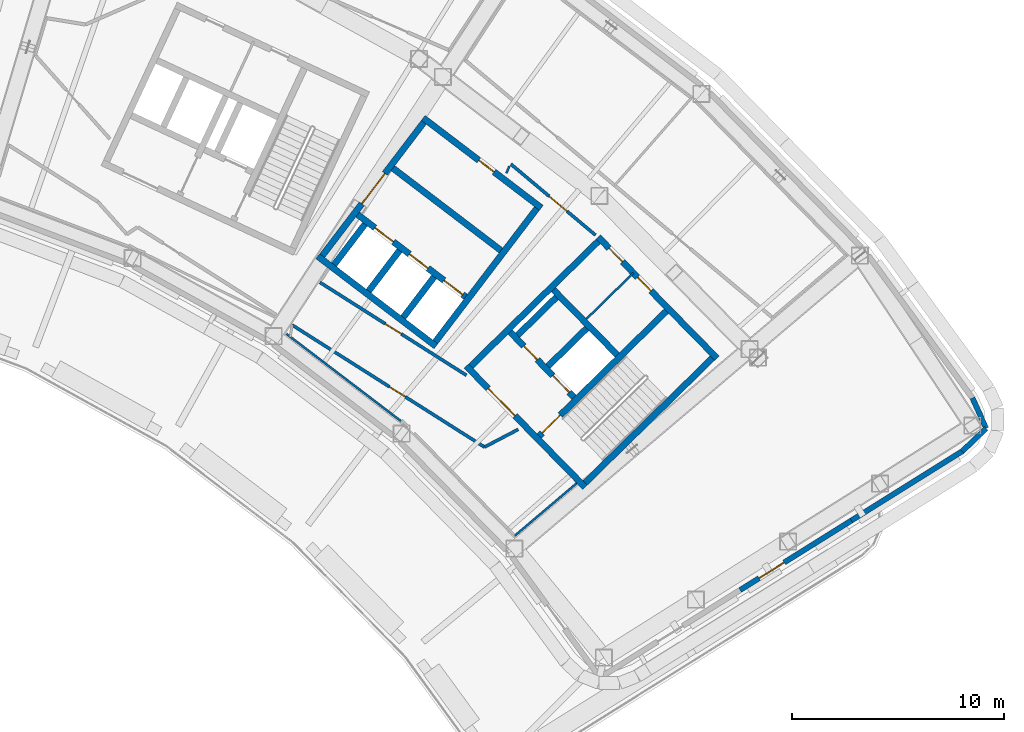
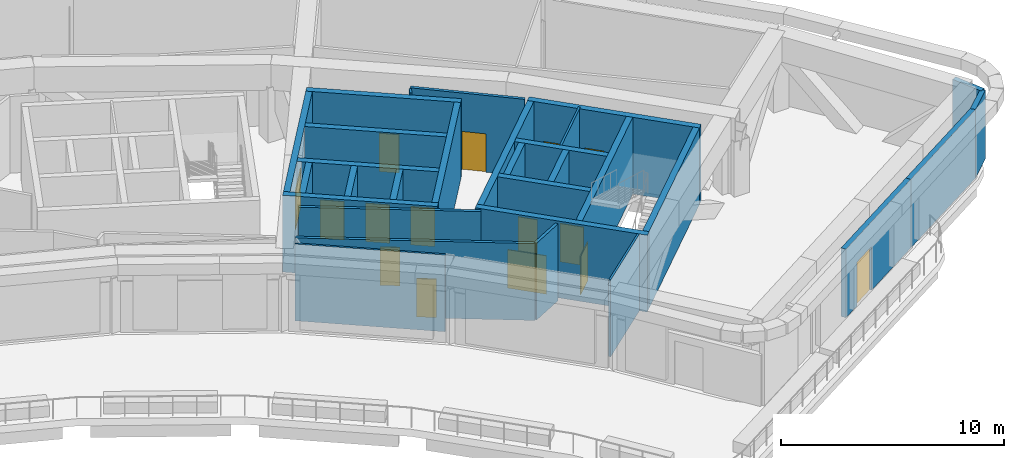
# One storey, part 10 of 25: 30 walls, 15 doors, 15 openings.
"""IFC4 building model written with IfcOpenShell, lengths in metres."""

from ifc_helpers import new_model, si_unit, direction, frame, frame_2d, origin, place, context, subcontext, project, spatial, rectangle, extrude, material, layer, layer_set, type_object, element, fill, save


model = new_model("IFC4")

# Units and contexts
model_context = context("Model", 3, precision=1e-05, world=origin(), true_north=direction((0.0, 1.0)))
body_context = subcontext(model_context, "Body", "Model", "MODEL_VIEW")
ifc_project = project(units=[si_unit("LENGTHUNIT", "METRE"), si_unit("AREAUNIT", "SQUARE_METRE"), si_unit("VOLUMEUNIT", "CUBIC_METRE"), si_unit("PLANEANGLEUNIT", "RADIAN"), si_unit("MASSUNIT", "GRAM", prefix="KILO")], contexts=[model_context])

# Site, building, storey
site_placement = place(None, origin())
site = spatial("IfcSite", under=ifc_project, at=site_placement, CompositionType="ELEMENT")
building_placement = place(site_placement, origin())
building = spatial("IfcBuilding", under=site, at=building_placement, Name="Tuul Gate Civic Tower", CompositionType="ELEMENT")
storey_placement = place(building_placement, frame((0.0, 0.0, 60.89990234375)))
storey = spatial("IfcBuildingStorey", under=building, at=storey_placement, Name="Plant and refuge floor 2", CompositionType="ELEMENT", Elevation=60.89990234375)

# Wall, opening, door
ifc_material_1 = material(Name="Concrete C50/60", Category="concrete")
ifc_layer_1 = layer(ifc_material_1, 0.300048828125)
ifc_layer_set_1 = layer_set([ifc_layer_1], Name="Concrete C50/60")
wall_type_1 = type_object("IfcWallType", Name="Core wall C50/60", PredefinedType="SHEAR", material=ifc_layer_set_1)
wall_1_placement = place(storey_placement, frame((48.22509765625, -18.327880859375, 0.0), z_axis=(0.0, 0.0, 1.0), x_axis=(-0.700021979774, 0.714121297703, 0.0)))
wall_1 = element("IfcWall", 1, at=wall_1_placement, inside=storey, type_object=wall_type_1, Name="Core wall", PredefinedType="SHEAR", context=body_context, shape_type="SweptSolid", body=[
    extrude(rectangle(XDim=8.0, YDim=0.300048828125, at=frame_2d((4.0, 0.0))), origin(), (0.0, 0.0, 1.0), 4.2001953125),
])
opening_1_placement = place(wall_1_placement, frame((4.72509765625, 0.0, 0.0)))
opening_1 = element("IfcOpeningElement", 2, at=opening_1_placement, cuts=wall_1, Name="Opening LB-E1-LOBBY-1", PredefinedType="OPENING", context=body_context, shape_type="SweptSolid", body=[
    extrude(rectangle(XDim=1.800048828125, YDim=2.10009765625, at=frame_2d((0.89990234375, 1.050048828125))), frame((0.0, 0.16015625, 0.0), z_axis=(0.0, -1.0, 0.0), x_axis=(1.0, 0.0, 0.0)), (0.0, 0.0, 1.0), 0.320068359375),
])
ifc_material_2 = material(Name="Steel", Category="steel")
door_type_1 = type_object("IfcDoorType", Name="Lobby door", OperationType="DOUBLE_DOOR_SINGLE_SWING", PredefinedType="DOOR", material=ifc_material_2)
door_1_placement = place(opening_1_placement, frame((1.800048828125, 0.0, 0.0), z_axis=(0.0, 0.0, 1.0), x_axis=(-1.0, 0.0, 0.0)))
door_1 = element("IfcDoor", 3, at=door_1_placement, inside=storey, type_object=door_type_1, Name="Lobby door E1-LOBBY", OperationType="DOUBLE_DOOR_SINGLE_SWING", OverallHeight=2.10009765625, OverallWidth=1.800048828125, PredefinedType="DOOR", context=body_context, shape_type="SweptSolid", body=[
    extrude(rectangle(XDim=1.800048828125, YDim=2.10009765625, at=frame_2d((0.900146484375, 1.050048828125))), frame((0.0, 0.02490234375, 0.0), z_axis=(0.0, -1.0, 0.0), x_axis=(1.0, 0.0, 0.0)), (0.0, 0.0, 1.0), 0.050048828125),
])
fill(opening_1, door_1)

# Wall, openings, doors
wall_2_placement = place(storey_placement, frame((47.701904296875, -14.079833984375, 0.0), z_axis=(0.0, 0.0, 1.0), x_axis=(-0.700002721075, 0.714140175657, 0.0)))
wall_2 = element("IfcWall", 4, at=wall_2_placement, inside=storey, type_object=wall_type_1, Name="Core wall", PredefinedType="SHEAR", context=body_context, shape_type="SweptSolid", body=[
    extrude(rectangle(XDim=4.300048828125, YDim=0.300048828125, at=frame_2d((2.14990234375, 0.0))), origin(), (0.0, 0.0, 1.0), 4.2001953125),
])
opening_2_placement = place(wall_2_placement, frame((0.324951171875, 0.0, 0.0)))
opening_2 = element("IfcOpeningElement", 5, at=opening_2_placement, cuts=wall_2, Name="Opening LD-L4", PredefinedType="OPENING", context=body_context, shape_type="SweptSolid", body=[
    extrude(rectangle(XDim=1.10009765625, YDim=2.10009765625, at=frame_2d((0.550048828125, 1.050048828125))), frame((0.0, 0.16015625, 0.0), z_axis=(0.0, -1.0, 0.0), x_axis=(1.0, 0.0, 0.0)), (0.0, 0.0, 1.0), 0.320068359375),
])
opening_3_placement = place(wall_2_placement, frame((2.47509765625, 0.0, 0.0)))
opening_3 = element("IfcOpeningElement", 6, at=opening_3_placement, cuts=wall_2, Name="Opening FB-E1A2", PredefinedType="OPENING", context=body_context, shape_type="SweptSolid", body=[
    extrude(rectangle(XDim=0.89990234375, YDim=2.10009765625, at=frame_2d((0.449951171875, 1.050048828125))), frame((0.0, 0.16015625, 0.0), z_axis=(0.0, -1.0, 0.0), x_axis=(1.0, 0.0, 0.0)), (0.0, 0.0, 1.0), 0.320068359375),
])
ifc_material_3 = material(Name="Stainless steel", Category="steel")
door_type_2 = type_object("IfcDoorType", Name="Landing door", OperationType="DOUBLE_DOOR_SLIDING", PredefinedType="DOOR", material=ifc_material_3)
door_2_placement = place(opening_2_placement, origin())
door_2 = element("IfcDoor", 7, at=door_2_placement, inside=storey, type_object=door_type_2, Name="Low-rise lift L4 landing door", OperationType="DOUBLE_DOOR_SLIDING", OverallHeight=2.10009765625, OverallWidth=1.10009765625, PredefinedType="DOOR", context=body_context, shape_type="SweptSolid", body=[
    extrude(rectangle(XDim=1.10009765625, YDim=2.10009765625, at=frame_2d((0.550048828125, 1.050048828125))), frame((0.0, 0.02490234375, 0.0), z_axis=(0.0, -1.0, 0.0), x_axis=(1.0, 0.0, 0.0)), (0.0, 0.0, 1.0), 0.050048828125),
])
fill(opening_2, door_2)
ifc_material_4 = material(Name="Steel", Category="steel")
door_type_3 = type_object("IfcDoorType", Name="Store door", OperationType="NOTDEFINED", PredefinedType="DOOR", material=ifc_material_4)
door_3_placement = place(opening_3_placement, frame((0.89990234375, 0.0, 0.0), z_axis=(0.0, 0.0, 1.0), x_axis=(-1.0, 0.0, 0.0)))
door_3 = element("IfcDoor", 8, at=door_3_placement, inside=storey, type_object=door_type_3, Name="Store door E1A2", OperationType="SINGLE_SWING_LEFT", OverallHeight=2.10009765625, OverallWidth=0.89990234375, PredefinedType="DOOR", context=body_context, shape_type="SweptSolid", body=[
    extrude(rectangle(XDim=0.89990234375, YDim=2.10009765625, at=frame_2d((0.449951171875, 1.050048828125))), frame((0.0, 0.02490234375, 0.0), z_axis=(0.0, -1.0, 0.0), x_axis=(1.0, 0.0, 0.0)), (0.0, 0.0, 1.0), 0.050048828125),
])
fill(opening_3, door_3)

# Wall
wall_3_placement = place(storey_placement, frame((49.737060546875, -12.0849609375, 0.0), z_axis=(0.0, 0.0, 1.0), x_axis=(-0.700002721075, 0.714140175657, 0.0)))
element("IfcWall", 9, at=wall_3_placement, inside=storey, type_object=wall_type_1, Name="Core wall", PredefinedType="SHEAR", context=body_context, shape_type="SweptSolid", body=[
    extrude(rectangle(XDim=4.300048828125, YDim=0.300048828125, at=frame_2d((2.14990234375, 0.0))), origin(), (0.0, 0.0, 1.0), 4.2001953125),
])

# Wall, openings, doors
wall_4_placement = place(storey_placement, frame((54.43798828125, -12.23779296875, 0.0), z_axis=(0.0, 0.0, 1.0), x_axis=(-0.700021979774, 0.714121297703, 0.0)))
wall_4 = element("IfcWall", 10, at=wall_4_placement, inside=storey, type_object=wall_type_1, Name="Core wall", PredefinedType="SHEAR", context=body_context, shape_type="SweptSolid", body=[
    extrude(rectangle(XDim=8.0, YDim=0.300048828125, at=frame_2d((4.0, 0.0))), origin(), (0.0, 0.0, 1.0), 4.2001953125),
])
opening_4_placement = place(wall_4_placement, frame((4.43798828125, 0.0, 0.0)))
opening_4 = element("IfcOpeningElement", 11, at=opening_4_placement, cuts=wall_4, Name="Opening PA-D25", PredefinedType="OPENING", context=body_context, shape_type="SweptSolid", body=[
    extrude(rectangle(XDim=0.89990234375, YDim=2.10009765625, at=frame_2d((0.449951171875, 1.050048828125))), frame((0.0, 0.16015625, 0.0), z_axis=(0.0, -1.0, 0.0), x_axis=(1.0, 0.0, 0.0)), (0.0, 0.0, 1.0), 0.320068359375),
])
opening_5_placement = place(wall_4_placement, frame((6.362548828125, 0.0, 0.0)))
opening_5 = element("IfcOpeningElement", 12, at=opening_5_placement, cuts=wall_4, Name="Opening PA-D26", PredefinedType="OPENING", context=body_context, shape_type="SweptSolid", body=[
    extrude(rectangle(XDim=0.89990234375, YDim=2.10009765625, at=frame_2d((0.449951171875, 1.050048828125))), frame((0.0, 0.16015625, 0.0), z_axis=(0.0, -1.0, 0.0), x_axis=(1.0, 0.0, 0.0)), (0.0, 0.0, 1.0), 0.320068359375),
])
ifc_material_5 = material(Name="Timber door leaf", Category="wood")
door_type_4 = type_object("IfcDoorType", Name="Door D09", OperationType="NOTDEFINED", PredefinedType="DOOR", material=ifc_material_5)
door_4_placement = place(opening_4_placement, origin())
door_4 = element("IfcDoor", 13, at=door_4_placement, inside=storey, type_object=door_type_4, Name="Door PA-D25", OperationType="SINGLE_SWING_RIGHT", OverallHeight=2.10009765625, OverallWidth=0.89990234375, PredefinedType="DOOR", context=body_context, shape_type="SweptSolid", body=[
    extrude(rectangle(XDim=0.89990234375, YDim=2.10009765625, at=frame_2d((0.449951171875, 1.050048828125))), frame((0.0, 0.02490234375, 0.0), z_axis=(0.0, -1.0, 0.0), x_axis=(1.0, 0.0, 0.0)), (0.0, 0.0, 1.0), 0.050048828125),
])
fill(opening_4, door_4)
door_5_placement = place(opening_5_placement, origin())
door_5 = element("IfcDoor", 14, at=door_5_placement, inside=storey, type_object=door_type_4, Name="Door PA-D26", OperationType="SINGLE_SWING_LEFT", OverallHeight=2.10009765625, OverallWidth=0.89990234375, PredefinedType="DOOR", context=body_context, shape_type="SweptSolid", body=[
    extrude(rectangle(XDim=0.89990234375, YDim=2.10009765625, at=frame_2d((0.449951171875, 1.050048828125))), frame((0.0, 0.02490234375, 0.0), z_axis=(0.0, -1.0, 0.0), x_axis=(1.0, 0.0, 0.0)), (0.0, 0.0, 1.0), 0.050048828125),
])
fill(opening_5, door_5)

# Wall
wall_5_placement = place(storey_placement, frame((48.227294921875, -18.115966796875, 0.0), z_axis=(0.0, 0.0, 1.0), x_axis=(0.714105315431, 0.700038283577, 0.0)))
element("IfcWall", 15, at=wall_5_placement, inside=storey, type_object=wall_type_1, Name="Core wall", PredefinedType="SHEAR", context=body_context, shape_type="SweptSolid", body=[
    extrude(rectangle(XDim=8.400146484375, YDim=0.300048828125, at=frame_2d((4.2001953125, 0.0))), origin(), (0.0, 0.0, 1.0), 4.2001953125),
])

# Wall, opening, door
wall_6_placement = place(storey_placement, frame((46.05712890625, -15.902099609375, 0.0), z_axis=(0.0, 0.0, 1.0), x_axis=(0.714134086973, 0.700008932674, 0.0)))
wall_6 = element("IfcWall", 16, at=wall_6_placement, inside=storey, type_object=wall_type_1, Name="Core wall", PredefinedType="SHEAR", context=body_context, shape_type="SweptSolid", body=[
    extrude(rectangle(XDim=8.400146484375, YDim=0.300048828125, at=frame_2d((4.2001953125, 0.0))), origin(), (0.0, 0.0, 1.0), 4.2001953125),
])
opening_6_placement = place(wall_6_placement, frame((0.199951171875, 0.0, 0.0)))
opening_6 = element("IfcOpeningElement", 17, at=opening_6_placement, cuts=wall_6, Name="Opening SD-ST-3", PredefinedType="OPENING", context=body_context, shape_type="SweptSolid", body=[
    extrude(rectangle(XDim=1.199951171875, YDim=2.10009765625, at=frame_2d((0.60009765625, 1.050048828125))), frame((0.0, 0.16015625, 0.0), z_axis=(0.0, -1.0, 0.0), x_axis=(1.0, 0.0, 0.0)), (0.0, 0.0, 1.0), 0.320068359375),
])
ifc_material_6 = material(Name="Steel", Category="steel")
door_type_5 = type_object("IfcDoorType", Name="Stair door", OperationType="NOTDEFINED", PredefinedType="DOOR", material=ifc_material_6)
door_6_placement = place(opening_6_placement, origin())
door_6 = element("IfcDoor", 18, at=door_6_placement, inside=storey, type_object=door_type_5, Name="Stair door ST-3", OperationType="SINGLE_SWING_LEFT", OverallHeight=2.10009765625, OverallWidth=1.199951171875, PredefinedType="DOOR", context=body_context, shape_type="SweptSolid", body=[
    extrude(rectangle(XDim=1.199951171875, YDim=2.10009765625, at=frame_2d((0.60009765625, 1.050048828125))), frame((0.0, 0.02490234375, 0.0), z_axis=(0.0, -1.0, 0.0), x_axis=(1.0, 0.0, 0.0)), (0.0, 0.0, 1.0), 0.050048828125),
])
fill(opening_6, door_6)

# Walls
wall_7_placement = place(storey_placement, frame((46.47900390625, -12.617919921875, 0.0), z_axis=(0.0, 0.0, 1.0), x_axis=(0.71410944159, 0.700034074479, 0.0)))
element("IfcWall", 19, at=wall_7_placement, inside=storey, type_object=wall_type_1, Name="Core wall", PredefinedType="SHEAR", context=body_context, shape_type="SweptSolid", body=[
    extrude(rectangle(XDim=2.5498046875, YDim=0.300048828125, at=frame_2d((1.27490234375, 0.0))), origin(), (0.0, 0.0, 1.0), 4.2001953125),
])
wall_8_placement = place(storey_placement, frame((45.0439453125, -11.154052734375, 0.0), z_axis=(0.0, 0.0, 1.0), x_axis=(0.714108498262, 0.700035036773, 0.0)))
element("IfcWall", 20, at=wall_8_placement, inside=storey, type_object=wall_type_1, Name="Core wall", PredefinedType="SHEAR", context=body_context, shape_type="SweptSolid", body=[
    extrude(rectangle(XDim=2.550048828125, YDim=0.300048828125, at=frame_2d((1.27490234375, 0.0))), origin(), (0.0, 0.0, 1.0), 4.2001953125),
])
wall_9_placement = place(storey_placement, frame((42.837158203125, -12.616943359375, 0.0), z_axis=(0.0, 0.0, 1.0), x_axis=(0.714119844755, 0.700023461983, 0.0)))
element("IfcWall", 21, at=wall_9_placement, inside=storey, type_object=wall_type_1, Name="Core wall", PredefinedType="SHEAR", context=body_context, shape_type="SweptSolid", body=[
    extrude(rectangle(XDim=8.39990234375, YDim=0.300048828125, at=frame_2d((4.199951171875, 0.0))), origin(), (0.0, 0.0, 1.0), 4.2001953125),
])

# Wall, opening, door
ifc_material_7 = material(Name="Gypsum board partition")
ifc_layer_2 = layer(ifc_material_7, 0.14990234375)
ifc_layer_set_2 = layer_set([ifc_layer_2], Name="Gypsum board partition")
wall_type_2 = type_object("IfcWallType", Name="Corridor wall P150", PredefinedType="PARTITIONING", material=ifc_layer_set_2)
wall_10_placement = place(storey_placement, frame((34.412109375, -10.6767578125, 0.0), z_axis=(0.0, 0.0, 1.0), x_axis=(0.844378662205, -0.535746838359, 0.0)))
wall_10 = element("IfcWall", 22, at=wall_10_placement, inside=storey, type_object=wall_type_2, Name="p006", PredefinedType="PARTITIONING", context=body_context, shape_type="SweptSolid", body=[
    extrude(rectangle(XDim=10.739990234375, YDim=0.14990234375, at=frame_2d((5.3701171875, 0.0))), origin(), (0.0, 0.0, 1.0), 4.2001953125),
])
opening_7_placement = place(wall_10_placement, frame((5.419921875, 0.0, 0.0)))
opening_7 = element("IfcOpeningElement", 23, at=opening_7_placement, cuts=wall_10, Name="Opening PA-D041", PredefinedType="OPENING", context=body_context, shape_type="SweptSolid", body=[
    extrude(rectangle(XDim=0.89990234375, YDim=2.10009765625, at=frame_2d((0.449951171875, 1.050048828125))), frame((0.0, 0.0849609375, 0.0), z_axis=(0.0, -1.0, 0.0), x_axis=(1.0, 0.0, 0.0)), (0.0, 0.0, 1.0), 0.169921875),
])
door_7_placement = place(opening_7_placement, frame((0.89990234375, 0.0, 0.0), z_axis=(0.0, 0.0, 1.0), x_axis=(-1.0, 0.0, 0.0)))
door_7 = element("IfcDoor", 24, at=door_7_placement, inside=storey, type_object=door_type_4, Name="Door PA-D04", OperationType="SINGLE_SWING_LEFT", OverallHeight=2.10009765625, OverallWidth=0.89990234375, PredefinedType="DOOR", context=body_context, shape_type="SweptSolid", body=[
    extrude(rectangle(XDim=0.89990234375, YDim=2.10009765625, at=frame_2d((0.449951171875, 1.050048828125))), frame((0.0, 0.02490234375, 0.0), z_axis=(0.0, -1.0, 0.0), x_axis=(1.0, 0.0, 0.0)), (0.0, 0.0, 1.0), 0.050048828125),
])
fill(opening_7, door_7)

# Wall
wall_11_placement = place(storey_placement, frame((43.4814453125, -16.430908203125, 0.0), z_axis=(0.0, 0.0, 1.0), x_axis=(0.885514163463, 0.46461238286, 0.0)))
element("IfcWall", 25, at=wall_11_placement, inside=storey, type_object=wall_type_2, Name="p009", PredefinedType="PARTITIONING", context=body_context, shape_type="SweptSolid", body=[
    extrude(rectangle(XDim=1.79296875, YDim=0.14990234375, at=frame_2d((0.896484375, 0.0))), origin(), (0.0, 0.0, 1.0), 4.2001953125),
])

# Wall, opening, door
wall_12_placement = place(storey_placement, frame((35.724609375, -8.6669921875, 0.0), z_axis=(0.0, 0.0, 1.0), x_axis=(0.844362663781, -0.535772052287, 0.0)))
wall_12 = element("IfcWall", 26, at=wall_12_placement, inside=storey, type_object=wall_type_2, Name="p011", PredefinedType="PARTITIONING", context=body_context, shape_type="SweptSolid", body=[
    extrude(rectangle(XDim=8.177978515625, YDim=0.14990234375, at=frame_2d((4.0888671875, 0.0))), origin(), (0.0, 0.0, 1.0), 4.2001953125),
])
opening_8_placement = place(wall_12_placement, frame((3.63916015625, 0.0, 0.0)))
opening_8 = element("IfcOpeningElement", 27, at=opening_8_placement, cuts=wall_12, Name="Opening PA-D05", PredefinedType="OPENING", context=body_context, shape_type="SweptSolid", body=[
    extrude(rectangle(XDim=0.89990234375, YDim=2.10009765625, at=frame_2d((0.449951171875, 1.050048828125))), frame((0.0, 0.0849609375, 0.0), z_axis=(0.0, -1.0, 0.0), x_axis=(1.0, 0.0, 0.0)), (0.0, 0.0, 1.0), 0.169921875),
])
door_8_placement = place(opening_8_placement, frame((0.89990234375, 0.0, 0.0), z_axis=(0.0, 0.0, 1.0), x_axis=(-1.0, 0.0, 0.0)))
door_8 = element("IfcDoor", 28, at=door_8_placement, inside=storey, type_object=door_type_4, Name="Door PA-D05", OperationType="SINGLE_SWING_LEFT", OverallHeight=2.10009765625, OverallWidth=0.89990234375, PredefinedType="DOOR", context=body_context, shape_type="SweptSolid", body=[
    extrude(rectangle(XDim=0.89990234375, YDim=2.10009765625, at=frame_2d((0.449951171875, 1.050048828125))), frame((0.0, 0.02490234375, 0.0), z_axis=(0.0, -1.0, 0.0), x_axis=(1.0, 0.0, 0.0)), (0.0, 0.0, 1.0), 0.050048828125),
])
fill(opening_8, door_8)

wall_13_placement = place(storey_placement, frame((44.7255859375, -3.091064453125, 0.0), z_axis=(0.0, 0.0, 1.0), x_axis=(0.765921044758, -0.642934641466, 0.0)))
wall_13 = element("IfcWall", 29, at=wall_13_placement, inside=storey, type_object=wall_type_2, Name="p012", PredefinedType="PARTITIONING", context=body_context, shape_type="SweptSolid", body=[
    extrude(rectangle(XDim=5.204833984375, YDim=0.14990234375, at=frame_2d((2.6025390625, 0.0))), origin(), (0.0, 0.0, 1.0), 4.2001953125),
])
opening_9_placement = place(wall_13_placement, frame((2.35302734375, 0.0, 0.0)))
opening_9 = element("IfcOpeningElement", 30, at=opening_9_placement, cuts=wall_13, Name="Opening PA-D211", PredefinedType="OPENING", context=body_context, shape_type="SweptSolid", body=[
    extrude(rectangle(XDim=1.10009765625, YDim=2.10009765625, at=frame_2d((0.550048828125, 1.050048828125))), frame((0.0, 0.0849609375, 0.0), z_axis=(0.0, -1.0, 0.0), x_axis=(1.0, 0.0, 0.0)), (0.0, 0.0, 1.0), 0.169921875),
])
ifc_material_8 = material(Name="Timber door leaf", Category="wood")
door_type_6 = type_object("IfcDoorType", Name="Door D11", OperationType="NOTDEFINED", PredefinedType="DOOR", material=ifc_material_8)
door_9_placement = place(opening_9_placement, frame((1.10009765625, 0.0, 0.0), z_axis=(0.0, 0.0, 1.0), x_axis=(-1.0, 0.0, 0.0)))
door_9 = element("IfcDoor", 31, at=door_9_placement, inside=storey, type_object=door_type_6, Name="Door PA-D21", OperationType="SINGLE_SWING_LEFT", OverallHeight=2.10009765625, OverallWidth=1.10009765625, PredefinedType="DOOR", context=body_context, shape_type="SweptSolid", body=[
    extrude(rectangle(XDim=1.10009765625, YDim=2.10009765625, at=frame_2d((0.550048828125, 1.050048828125))), frame((0.0, 0.02490234375, 0.0), z_axis=(0.0, -1.0, 0.0), x_axis=(1.0, 0.0, 0.0)), (0.0, 0.0, 1.0), 0.050048828125),
])
fill(opening_9, door_9)

# Walls
ifc_material_9 = material(Name="Precast concrete C40/50", Category="concrete")
ifc_layer_3 = layer(ifc_material_9, 0.25)
ifc_layer_set_3 = layer_set([ifc_layer_3], Name="Precast concrete C40/50")
wall_type_3 = type_object("IfcWallType", Name="External wall", PredefinedType="STANDARD", material=ifc_layer_set_3)
wall_14_placement = place(storey_placement, frame((65.99853515625, -16.634765625, 0.0), z_axis=(0.0, 0.0, 1.0), x_axis=(0.722172557321, 0.691712944402, 0.0)))
element("IfcWall", 32, at=wall_14_placement, inside=storey, type_object=wall_type_3, Name="External wall", PredefinedType="STANDARD", context=body_context, shape_type="SweptSolid", body=[
    extrude(rectangle(XDim=1.571044921875, YDim=0.25, at=frame_2d((0.78564453125, 0.0))), origin(), (0.0, 0.0, 1.0), 3.75),
])
wall_15_placement = place(storey_placement, frame((67.133056640625, -15.548095703125, 0.0), z_axis=(0.0, 0.0, 1.0), x_axis=(-0.412327537863, 0.911035675218, 0.0)))
element("IfcWall", 33, at=wall_15_placement, inside=storey, type_object=wall_type_3, Name="External wall", PredefinedType="STANDARD", context=body_context, shape_type="SweptSolid", body=[
    extrude(rectangle(XDim=1.571533203125, YDim=0.25, at=frame_2d((0.78564453125, 0.0))), origin(), (0.0, 0.0, 1.0), 3.75),
])

# Wall, opening, door
wall_16_placement = place(storey_placement, frame((55.531982421875, -23.171630859375, 0.0), z_axis=(0.0, 0.0, 1.0), x_axis=(0.848053758074, 0.529910203164, 0.0)))
wall_16 = element("IfcWall", 34, at=wall_16_placement, inside=storey, type_object=wall_type_3, Name="External wall", PredefinedType="STANDARD", context=body_context, shape_type="SweptSolid", body=[
    extrude(rectangle(XDim=6.182861328125, YDim=0.25, at=frame_2d((3.09130859375, 0.0))), origin(), (0.0, 0.0, 1.0), 3.75),
])
opening_10_placement = place(wall_16_placement, frame((1.050048828125, 0.0, 0.0)))
opening_10 = element("IfcOpeningElement", 35, at=opening_10_placement, cuts=wall_16, Name="Opening TD", PredefinedType="OPENING", context=body_context, shape_type="SweptSolid", body=[
    extrude(rectangle(XDim=1.39990234375, YDim=2.39990234375, at=frame_2d((0.699951171875, 1.199951171875))), frame((0.0, 0.135009765625, 0.0), z_axis=(0.0, -1.0, 0.0), x_axis=(1.0, 0.0, 0.0)), (0.0, 0.0, 1.0), 0.27001953125),
])
ifc_material_10 = material(Name="Glazed aluminium", Category="aluminium")
door_type_7 = type_object("IfcDoorType", Name="Terrace door", OperationType="DOUBLE_DOOR_SINGLE_SWING", PredefinedType="DOOR", material=ifc_material_10)
door_10_placement = place(opening_10_placement, origin())
door_10 = element("IfcDoor", 36, at=door_10_placement, inside=storey, type_object=door_type_7, Name="Terrace door", OperationType="DOUBLE_DOOR_SINGLE_SWING", OverallHeight=2.39990234375, OverallWidth=1.39990234375, PredefinedType="DOOR", context=body_context, shape_type="SweptSolid", body=[
    extrude(rectangle(XDim=1.39990234375, YDim=2.39990234375, at=frame_2d((0.699951171875, 1.199951171875))), frame((0.0, 0.02490234375, 0.0), z_axis=(0.0, -1.0, 0.0), x_axis=(1.0, 0.0, 0.0)), (0.0, 0.0, 1.0), 0.050048828125),
])
fill(opening_10, door_10)

# Walls
wall_17_placement = place(storey_placement, frame((60.775390625, -19.895263671875, 0.0), z_axis=(0.0, 0.0, 1.0), x_axis=(0.848053758074, 0.529910203164, 0.0)))
element("IfcWall", 37, at=wall_17_placement, inside=storey, type_object=wall_type_3, Name="External wall", PredefinedType="STANDARD", context=body_context, shape_type="SweptSolid", body=[
    extrude(rectangle(XDim=6.182861328125, YDim=0.25, at=frame_2d((3.09130859375, 0.0))), origin(), (0.0, 0.0, 1.0), 3.75),
])
ifc_material_11 = material(Name="Concrete C40/50", Category="concrete")
ifc_layer_4 = layer(ifc_material_11, 0.300048828125)
ifc_layer_set_4 = layer_set([ifc_layer_4], Name="Concrete C40/50")
wall_type_4 = type_object("IfcWallType", Name="Lift shaft wall C40/50", PredefinedType="STANDARD", material=ifc_layer_set_4)
wall_18_placement = place(storey_placement, frame((41.19189453125, -11.677734375, 0.0), z_axis=(0.0, 0.0, 1.0), x_axis=(-0.795563000331, 0.605870871147, 0.0)))
element("IfcWall", 38, at=wall_18_placement, inside=storey, type_object=wall_type_4, Name="Shaft wall", PredefinedType="STANDARD", context=body_context, shape_type="SweptSolid", body=[
    extrude(rectangle(XDim=7.000244140625, YDim=0.300048828125, at=frame_2d((3.5, 0.0))), origin(), (0.0, 0.0, 1.0), 4.2001953125),
])

# Wall, openings, doors
wall_19_placement = place(storey_placement, frame((42.5888671875, -9.34765625, 0.0), z_axis=(0.0, 0.0, 1.0), x_axis=(-0.795584062101, 0.605843214149, 0.0)))
wall_19 = element("IfcWall", 39, at=wall_19_placement, inside=storey, type_object=wall_type_4, Name="Shaft wall", PredefinedType="STANDARD", context=body_context, shape_type="SweptSolid", body=[
    extrude(rectangle(XDim=6.400146484375, YDim=0.300048828125, at=frame_2d((3.2001953125, 0.0))), origin(), (0.0, 0.0, 1.0), 4.2001953125),
])
opening_11_placement = place(wall_19_placement, frame((0.175048828125, 0.0, 0.0)))
opening_11 = element("IfcOpeningElement", 40, at=opening_11_placement, cuts=wall_19, Name="Opening LD-L1", PredefinedType="OPENING", context=body_context, shape_type="SweptSolid", body=[
    extrude(rectangle(XDim=1.10009765625, YDim=2.10009765625, at=frame_2d((0.550048828125, 1.050048828125))), frame((0.0, 0.16015625, 0.0), z_axis=(0.0, -1.0, 0.0), x_axis=(1.0, 0.0, 0.0)), (0.0, 0.0, 1.0), 0.320068359375),
])
opening_12_placement = place(wall_19_placement, frame((2.22509765625, 0.0, 0.0)))
opening_12 = element("IfcOpeningElement", 41, at=opening_12_placement, cuts=wall_19, Name="Opening LD-L2", PredefinedType="OPENING", context=body_context, shape_type="SweptSolid", body=[
    extrude(rectangle(XDim=1.10009765625, YDim=2.10009765625, at=frame_2d((0.550048828125, 1.050048828125))), frame((0.0, 0.16015625, 0.0), z_axis=(0.0, -1.0, 0.0), x_axis=(1.0, 0.0, 0.0)), (0.0, 0.0, 1.0), 0.320068359375),
])
opening_13_placement = place(wall_19_placement, frame((4.27490234375, 0.0, 0.0)))
opening_13 = element("IfcOpeningElement", 42, at=opening_13_placement, cuts=wall_19, Name="Opening LD-L3", PredefinedType="OPENING", context=body_context, shape_type="SweptSolid", body=[
    extrude(rectangle(XDim=1.10009765625, YDim=2.10009765625, at=frame_2d((0.550048828125, 1.050048828125))), frame((0.0, 0.16015625, 0.0), z_axis=(0.0, -1.0, 0.0), x_axis=(1.0, 0.0, 0.0)), (0.0, 0.0, 1.0), 0.320068359375),
])
door_11_placement = place(opening_11_placement, origin())
door_11 = element("IfcDoor", 43, at=door_11_placement, inside=storey, type_object=door_type_2, Name="Low-rise lift L1 landing door", OperationType="DOUBLE_DOOR_SLIDING", OverallHeight=2.10009765625, OverallWidth=1.10009765625, PredefinedType="DOOR", context=body_context, shape_type="SweptSolid", body=[
    extrude(rectangle(XDim=1.10009765625, YDim=2.10009765625, at=frame_2d((0.550048828125, 1.050048828125))), frame((0.0, 0.02490234375, 0.0), z_axis=(0.0, -1.0, 0.0), x_axis=(1.0, 0.0, 0.0)), (0.0, 0.0, 1.0), 0.050048828125),
])
fill(opening_11, door_11)
door_12_placement = place(opening_12_placement, origin())
door_12 = element("IfcDoor", 44, at=door_12_placement, inside=storey, type_object=door_type_2, Name="Low-rise lift L2 landing door", OperationType="DOUBLE_DOOR_SLIDING", OverallHeight=2.10009765625, OverallWidth=1.10009765625, PredefinedType="DOOR", context=body_context, shape_type="SweptSolid", body=[
    extrude(rectangle(XDim=1.10009765625, YDim=2.10009765625, at=frame_2d((0.550048828125, 1.050048828125))), frame((0.0, 0.02490234375, 0.0), z_axis=(0.0, -1.0, 0.0), x_axis=(1.0, 0.0, 0.0)), (0.0, 0.0, 1.0), 0.050048828125),
])
fill(opening_12, door_12)
door_13_placement = place(opening_13_placement, origin())
door_13 = element("IfcDoor", 45, at=door_13_placement, inside=storey, type_object=door_type_2, Name="Low-rise lift L3 landing door", OperationType="DOUBLE_DOOR_SLIDING", OverallHeight=2.10009765625, OverallWidth=1.10009765625, PredefinedType="DOOR", context=body_context, shape_type="SweptSolid", body=[
    extrude(rectangle(XDim=1.10009765625, YDim=2.10009765625, at=frame_2d((0.550048828125, 1.050048828125))), frame((0.0, 0.02490234375, 0.0), z_axis=(0.0, -1.0, 0.0), x_axis=(1.0, 0.0, 0.0)), (0.0, 0.0, 1.0), 0.050048828125),
])
fill(opening_13, door_13)

# Wall
wall_20_placement = place(storey_placement, frame((44.254638671875, -7.15966796875, 0.0), z_axis=(0.0, 0.0, 1.0), x_axis=(-0.795565675562, 0.605867358312, 0.0)))
element("IfcWall", 46, at=wall_20_placement, inside=storey, type_object=wall_type_4, Name="Shaft wall", PredefinedType="STANDARD", context=body_context, shape_type="SweptSolid", body=[
    extrude(rectangle(XDim=6.400146484375, YDim=0.300048828125, at=frame_2d((3.2001953125, 0.0))), origin(), (0.0, 0.0, 1.0), 4.2001953125),
])

# Wall, opening, door
wall_21_placement = place(storey_placement, frame((46.1591796875, -5.1533203125, 0.0), z_axis=(0.0, 0.0, 1.0), x_axis=(-0.795579811045, 0.605848796531, 0.0)))
wall_21 = element("IfcWall", 47, at=wall_21_placement, inside=storey, type_object=wall_type_4, Name="Shaft wall", PredefinedType="STANDARD", context=body_context, shape_type="SweptSolid", body=[
    extrude(rectangle(XDim=7.0, YDim=0.300048828125, at=frame_2d((3.5, 0.0))), origin(), (0.0, 0.0, 1.0), 4.2001953125),
])
opening_14_placement = place(wall_21_placement, frame((2.800048828125, 0.0, 0.0)))
opening_14 = element("IfcOpeningElement", 48, at=opening_14_placement, cuts=wall_21, Name="Opening PA-D24", PredefinedType="OPENING", context=body_context, shape_type="SweptSolid", body=[
    extrude(rectangle(XDim=0.89990234375, YDim=2.10009765625, at=frame_2d((0.449951171875, 1.050048828125))), frame((0.0, 0.16015625, 0.0), z_axis=(0.0, -1.0, 0.0), x_axis=(1.0, 0.0, 0.0)), (0.0, 0.0, 1.0), 0.320068359375),
])
door_14_placement = place(opening_14_placement, origin())
door_14 = element("IfcDoor", 49, at=door_14_placement, inside=storey, type_object=door_type_4, Name="Door PA-D24", OperationType="SINGLE_SWING_LEFT", OverallHeight=2.10009765625, OverallWidth=0.89990234375, PredefinedType="DOOR", context=body_context, shape_type="SweptSolid", body=[
    extrude(rectangle(XDim=0.89990234375, YDim=2.10009765625, at=frame_2d((0.449951171875, 1.050048828125))), frame((0.0, 0.02490234375, 0.0), z_axis=(0.0, -1.0, 0.0), x_axis=(1.0, 0.0, 0.0)), (0.0, 0.0, 1.0), 0.050048828125),
])
fill(opening_14, door_14)

# Walls
wall_22_placement = place(storey_placement, frame((41.163330078125, -11.46728515625, 0.0), z_axis=(0.0, 0.0, 1.0), x_axis=(0.605784332699, 0.795628897324, 0.0)))
element("IfcWall", 50, at=wall_22_placement, inside=storey, type_object=wall_type_4, Name="Shaft wall", PredefinedType="STANDARD", context=body_context, shape_type="SweptSolid", body=[
    extrude(rectangle(XDim=7.89990234375, YDim=0.300048828125, at=frame_2d((3.949951171875, 0.0))), origin(), (0.0, 0.0, 1.0), 4.2001953125),
])
wall_23_placement = place(storey_placement, frame((39.65185546875, -10.31640625, 0.0), z_axis=(0.0, 0.0, 1.0), x_axis=(0.605745892068, 0.79565816419, 0.0)))
element("IfcWall", 51, at=wall_23_placement, inside=storey, type_object=wall_type_4, Name="Shaft wall", PredefinedType="STANDARD", context=body_context, shape_type="SweptSolid", body=[
    extrude(rectangle(XDim=2.400146484375, YDim=0.300048828125, at=frame_2d((1.2001953125, 0.0))), origin(), (0.0, 0.0, 1.0), 4.2001953125),
])
wall_24_placement = place(storey_placement, frame((38.02099609375, -9.07421875, 0.0), z_axis=(0.0, 0.0, 1.0), x_axis=(0.605730519254, 0.795669867498, 0.0)))
element("IfcWall", 52, at=wall_24_placement, inside=storey, type_object=wall_type_4, Name="Shaft wall", PredefinedType="STANDARD", context=body_context, shape_type="SweptSolid", body=[
    extrude(rectangle(XDim=2.399658203125, YDim=0.300048828125, at=frame_2d((1.19970703125, 0.0))), origin(), (0.0, 0.0, 1.0), 4.2001953125),
])
wall_25_placement = place(storey_placement, frame((36.389892578125, -7.832275390625, 0.0), z_axis=(0.0, 0.0, 1.0), x_axis=(0.605745892068, 0.79565816419, 0.0)))
element("IfcWall", 53, at=wall_25_placement, inside=storey, type_object=wall_type_4, Name="Shaft wall", PredefinedType="STANDARD", context=body_context, shape_type="SweptSolid", body=[
    extrude(rectangle(XDim=2.400146484375, YDim=0.300048828125, at=frame_2d((1.2001953125, 0.0))), origin(), (0.0, 0.0, 1.0), 4.2001953125),
])

# Wall, opening, door
wall_26_placement = place(storey_placement, frame((35.8330078125, -7.408203125, 0.0), z_axis=(0.0, 0.0, 1.0), x_axis=(0.605769437763, 0.795640237967, 0.0)))
wall_26 = element("IfcWall", 54, at=wall_26_placement, inside=storey, type_object=wall_type_4, Name="Shaft wall", PredefinedType="STANDARD", context=body_context, shape_type="SweptSolid", body=[
    extrude(rectangle(XDim=7.900146484375, YDim=0.300048828125, at=frame_2d((3.9501953125, 0.0))), origin(), (0.0, 0.0, 1.0), 4.2001953125),
])
opening_15_placement = place(wall_26_placement, frame((3.074951171875, 0.0, 0.0)))
opening_15 = element("IfcOpeningElement", 55, at=opening_15_placement, cuts=wall_26, Name="Opening LB-E2-LOBBY-1", PredefinedType="OPENING", context=body_context, shape_type="SweptSolid", body=[
    extrude(rectangle(XDim=1.800048828125, YDim=2.10009765625, at=frame_2d((0.89990234375, 1.050048828125))), frame((0.0, 0.16015625, 0.0), z_axis=(0.0, -1.0, 0.0), x_axis=(1.0, 0.0, 0.0)), (0.0, 0.0, 1.0), 0.320068359375),
])
door_15_placement = place(opening_15_placement, frame((1.800048828125, 0.0, 0.0), z_axis=(0.0, 0.0, 1.0), x_axis=(-1.0, 0.0, 0.0)))
door_15 = element("IfcDoor", 56, at=door_15_placement, inside=storey, type_object=door_type_1, Name="Lobby door E2-LOBBY", OperationType="DOUBLE_DOOR_SINGLE_SWING", OverallHeight=2.10009765625, OverallWidth=1.800048828125, PredefinedType="DOOR", context=body_context, shape_type="SweptSolid", body=[
    extrude(rectangle(XDim=1.800048828125, YDim=2.10009765625, at=frame_2d((0.900146484375, 1.050048828125))), frame((0.0, 0.02490234375, 0.0), z_axis=(0.0, -1.0, 0.0), x_axis=(1.0, 0.0, 0.0)), (0.0, 0.0, 1.0), 0.050048828125),
])
fill(opening_15, door_15)

# Walls
ifc_material_12 = material(Name="Gypsum board partition")
ifc_layer_5 = layer(ifc_material_12, 0.10009765625)
ifc_layer_set_5 = layer_set([ifc_layer_5], Name="Gypsum board partition")
wall_type_5 = type_object("IfcWallType", Name="Partition P100", PredefinedType="PARTITIONING", material=ifc_layer_set_5)
wall_27_placement = place(storey_placement, frame((47.827880859375, -18.136962890625, 0.0), z_axis=(0.0, 0.0, 1.0), x_axis=(-0.762818028892, -0.646613218854, 0.0)))
element("IfcWall", 57, at=wall_27_placement, inside=storey, type_object=wall_type_5, Name="p057", PredefinedType="PARTITIONING", context=body_context, shape_type="SweptSolid", body=[
    extrude(rectangle(XDim=3.8154296875, YDim=0.10009765625, at=frame_2d((1.90771484375, 0.0))), origin(), (0.0, 0.0, 1.0), 4.2001953125),
])
wall_28_placement = place(storey_placement, frame((39.5380859375, -15.2021484375, 0.0), z_axis=(0.0, 0.0, 1.0), x_axis=(-0.795625818976, 0.605788375738, 0.0)))
element("IfcWall", 58, at=wall_28_placement, inside=storey, type_object=wall_type_5, Name="p060", PredefinedType="PARTITIONING", context=body_context, shape_type="SweptSolid", body=[
    extrude(rectangle(XDim=6.783935546875, YDim=0.10009765625, at=frame_2d((3.39208984375, 0.0))), origin(), (0.0, 0.0, 1.0), 4.2001953125),
])
wall_29_placement = place(storey_placement, frame((44.510009765625, -3.519775390625, 0.0), z_axis=(0.0, 0.0, 1.0), x_axis=(0.400854779775, 0.916141607794, 0.0)))
element("IfcWall", 59, at=wall_29_placement, inside=storey, type_object=wall_type_5, Name="p063", PredefinedType="PARTITIONING", context=body_context, shape_type="SweptSolid", body=[
    extrude(rectangle(XDim=0.356201171875, YDim=0.10009765625, at=frame_2d((0.17822265625, 0.0))), origin(), (0.0, 0.0, 1.0), 4.2001953125),
])
wall_30_placement = place(storey_placement, frame((48.28662109375, -10.390869140625, 0.0), z_axis=(0.0, 0.0, 1.0), x_axis=(0.714159293908, 0.699983216173, 0.0)))
element("IfcWall", 60, at=wall_30_placement, inside=storey, type_object=wall_type_5, Name="bE1-BAND-0", PredefinedType="PARTITIONING", context=body_context, shape_type="SweptSolid", body=[
    extrude(rectangle(XDim=3.099853515625, YDim=0.10009765625, at=frame_2d((1.5498046875, 0.0))), origin(), (0.0, 0.0, 1.0), 4.2001953125),
])

save(model, "model.ifc")
